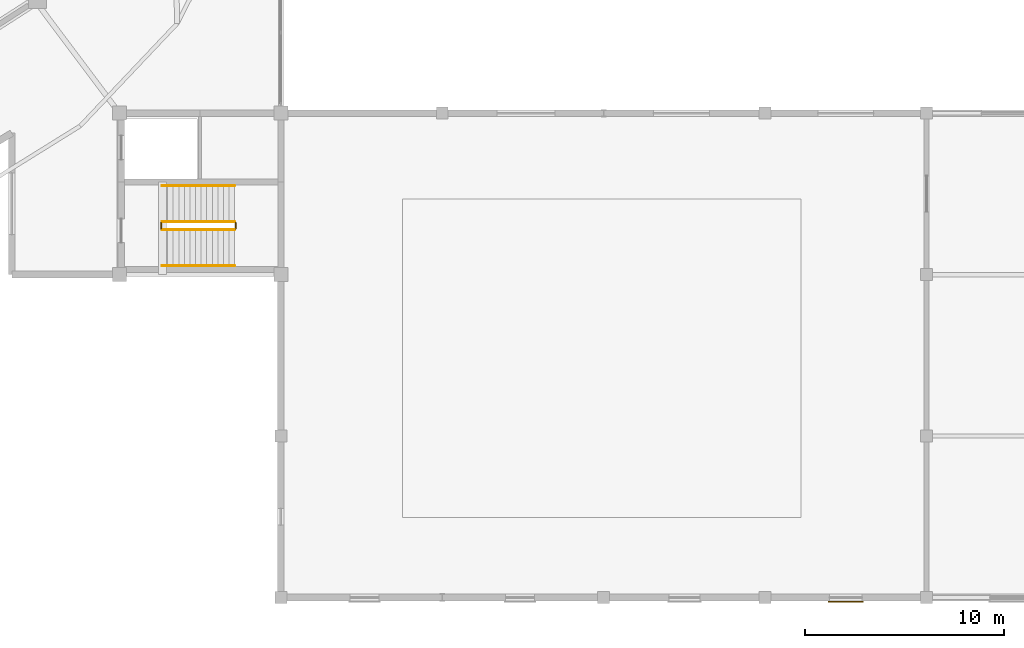
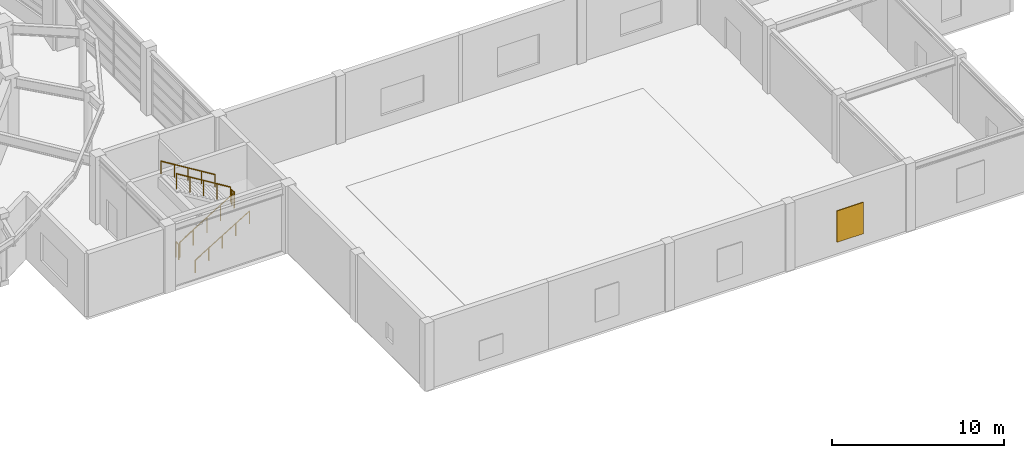
# One storey, part 47 of 56: 6 railings, 1 shading device.
"""IFC4 building model written with IfcOpenShell, lengths in metres."""

from ifc_helpers import new_model, si_unit, direction, frame, origin, origin_2d, place, context, subcontext, project, spatial, rectangle, circle, extrude, material, layer, layer_set, type_object, element, save


model = new_model("IFC4")

# Units and contexts
model_context = context("Model", 3, precision=1e-05, world=origin(), true_north=direction((0.0, 1.0)))
body_context = subcontext(model_context, "Body", "Model", "MODEL_VIEW")
ifc_project = project(units=[si_unit("LENGTHUNIT", "METRE"), si_unit("AREAUNIT", "SQUARE_METRE"), si_unit("VOLUMEUNIT", "CUBIC_METRE"), si_unit("PLANEANGLEUNIT", "RADIAN"), si_unit("MASSUNIT", "GRAM", prefix="KILO")], contexts=[model_context])

# Site, building, storey
site_placement = place(None, origin())
site = spatial("IfcSite", under=ifc_project, at=site_placement, CompositionType="ELEMENT")
building_placement = place(site_placement, origin())
building = spatial("IfcBuilding", under=site, at=building_placement, Name="Parian Resonance Hall", CompositionType="ELEMENT")
storey_placement = place(building_placement, frame((0.0, 0.0, 5.39990234375)))
storey = spatial("IfcBuildingStorey", under=building, at=storey_placement, Name="L01", CompositionType="ELEMENT", Elevation=5.39990234375)

# Railings
ifc_material_1 = material(Name="Patinated bronze whiplash metalwork")
railing_type_1 = type_object("IfcRailingType", Name="RAIL-STAIR-GRD-1100", PredefinedType="GUARDRAIL", material=ifc_material_1)
railing_1_placement = place(storey_placement, frame((66.93994140625, 18.449951171875, 0.171630859375)))
element("IfcRailing", 1, at=railing_1_placement, inside=storey, type_object=railing_type_1, Name="L01 ST-03 stair guard 1", PredefinedType="GUARDRAIL", context=body_context, shape_type="SweptSolid", body=[
    extrude(circle(Radius=0.02392578125, at=origin_2d()), frame((0.0, 0.0, 1.076171875), z_axis=(0.852865859571, 0.0, 0.52213008492), x_axis=(0.0, 1.0, 0.0)), (0.0, 0.0, 1.0), 4.26806640625),
    extrude(circle(Radius=0.02099609375, at=origin_2d()), origin(), (0.0, 0.0, 1.0), 1.052001953125),
    extrude(circle(Radius=0.02099609375, at=origin_2d()), frame((0.91015625, 0.0, 0.55712890625)), (0.0, 0.0, 1.0), 1.052001953125),
    extrude(circle(Radius=0.02099609375, at=origin_2d()), frame((1.820068359375, 0.0, 1.1142578125)), (0.0, 0.0, 1.0), 1.052001953125),
    extrude(circle(Radius=0.02099609375, at=origin_2d()), frame((2.72998046875, 0.0, 1.67138671875)), (0.0, 0.0, 1.0), 1.052001953125),
    extrude(circle(Radius=0.02099609375, at=origin_2d()), frame((3.64013671875, 0.0, 2.228515625)), (0.0, 0.0, 1.0), 1.052001953125),
])
railing_2_placement = place(storey_placement, frame((70.6298828125, 18.5, 2.400146484375)))
element("IfcRailing", 2, at=railing_2_placement, inside=storey, type_object=railing_type_1, Name="L01 ST-03 stair guard 2", PredefinedType="GUARDRAIL", context=body_context, shape_type="SweptSolid", body=[
    extrude(circle(Radius=0.02392578125, at=origin_2d()), frame((0.0, 0.0, 1.076171875), z_axis=(0.0, 1.0, 0.0), x_axis=(-1.0, 0.0, 0.0)), (0.0, 0.0, 1.0), 0.300048828125),
    extrude(circle(Radius=0.02099609375, at=origin_2d()), origin(), (0.0, 0.0, 1.0), 1.052001953125),
    extrude(circle(Radius=0.02099609375, at=origin_2d()), frame((0.0, 0.300048828125, 0.0)), (0.0, 0.0, 1.0), 1.052001953125),
])
railing_3_placement = place(storey_placement, frame((70.580078125, 18.85009765625, 2.571533203125)))
element("IfcRailing", 3, at=railing_3_placement, inside=storey, type_object=railing_type_1, Name="L01 ST-03 stair guard 3", PredefinedType="GUARDRAIL", context=body_context, shape_type="SweptSolid", body=[
    extrude(circle(Radius=0.02392578125, at=origin_2d()), frame((0.0, 0.0, 1.076171875), z_axis=(-0.852865859571, 0.0, 0.52213008492), x_axis=(0.0, -1.0, 0.0)), (0.0, 0.0, 1.0), 4.26806640625),
    extrude(circle(Radius=0.02099609375, at=origin_2d()), origin(), (0.0, 0.0, 1.0), 1.052001953125),
    extrude(circle(Radius=0.02099609375, at=origin_2d()), frame((-0.91015625, 0.0, 0.55712890625)), (0.0, 0.0, 1.0), 1.052001953125),
    extrude(circle(Radius=0.02099609375, at=origin_2d()), frame((-1.820068359375, 0.0, 1.1142578125)), (0.0, 0.0, 1.0), 1.052001953125),
    extrude(circle(Radius=0.02099609375, at=origin_2d()), frame((-2.72998046875, 0.0, 1.67138671875)), (0.0, 0.0, 1.0), 1.052001953125),
    extrude(circle(Radius=0.02099609375, at=origin_2d()), frame((-3.64013671875, 0.0, 2.228515625)), (0.0, 0.0, 1.0), 1.052001953125),
])
railing_4_placement = place(storey_placement, frame((66.889892578125, 18.5, 0.0)))
element("IfcRailing", 4, at=railing_4_placement, inside=storey, type_object=railing_type_1, Name="L01 ST-03 stair guard 4", PredefinedType="GUARDRAIL", context=body_context, shape_type="SweptSolid", body=[
    extrude(circle(Radius=0.02392578125, at=origin_2d()), frame((0.0, 0.0, 1.076171875), z_axis=(0.0, 1.0, 0.0), x_axis=(-1.0, 0.0, 0.0)), (0.0, 0.0, 1.0), 0.300048828125),
    extrude(circle(Radius=0.02099609375, at=origin_2d()), origin(), (0.0, 0.0, 1.0), 1.052001953125),
    extrude(circle(Radius=0.02099609375, at=origin_2d()), frame((0.0, 0.300048828125, 0.0)), (0.0, 0.0, 1.0), 1.052001953125),
])
ifc_material_2 = material(Name="Patinated bronze whiplash metalwork")
railing_type_2 = type_object("IfcRailingType", Name="RAIL-STAIR-HR-900", PredefinedType="HANDRAIL", material=ifc_material_2)
railing_5_placement = place(storey_placement, frame((66.93994140625, 16.64990234375, 0.171630859375)))
element("IfcRailing", 5, at=railing_5_placement, inside=storey, type_object=railing_type_2, Name="L01 ST-03 stair handrail 1", PredefinedType="HANDRAIL", context=body_context, shape_type="SweptSolid", body=[
    extrude(circle(Radius=0.02392578125, at=origin_2d()), frame((0.0, 0.0, 0.8759765625), z_axis=(0.852865859571, 0.0, 0.52213008492), x_axis=(0.0, 1.0, 0.0)), (0.0, 0.0, 1.0), 4.26806640625),
    extrude(circle(Radius=0.02099609375, at=origin_2d()), origin(), (0.0, 0.0, 1.0), 0.851806640625),
    extrude(circle(Radius=0.02099609375, at=origin_2d()), frame((0.91015625, 0.0, 0.55712890625)), (0.0, 0.0, 1.0), 0.851806640625),
    extrude(circle(Radius=0.02099609375, at=origin_2d()), frame((1.820068359375, 0.0, 1.1142578125)), (0.0, 0.0, 1.0), 0.851806640625),
    extrude(circle(Radius=0.02099609375, at=origin_2d()), frame((2.72998046875, 0.0, 1.67138671875)), (0.0, 0.0, 1.0), 0.851806640625),
    extrude(circle(Radius=0.02099609375, at=origin_2d()), frame((3.64013671875, 0.0, 2.228515625)), (0.0, 0.0, 1.0), 0.851806640625),
])
railing_6_placement = place(storey_placement, frame((70.580078125, 20.64990234375, 2.571533203125)))
element("IfcRailing", 6, at=railing_6_placement, inside=storey, type_object=railing_type_2, Name="L01 ST-03 stair handrail 2", PredefinedType="HANDRAIL", context=body_context, shape_type="SweptSolid", body=[
    extrude(circle(Radius=0.02392578125, at=origin_2d()), frame((0.0, 0.0, 0.8759765625), z_axis=(-0.852865859571, 0.0, 0.52213008492), x_axis=(0.0, -1.0, 0.0)), (0.0, 0.0, 1.0), 4.26806640625),
    extrude(circle(Radius=0.02099609375, at=origin_2d()), origin(), (0.0, 0.0, 1.0), 0.851806640625),
    extrude(circle(Radius=0.02099609375, at=origin_2d()), frame((-0.91015625, 0.0, 0.55712890625)), (0.0, 0.0, 1.0), 0.851806640625),
    extrude(circle(Radius=0.02099609375, at=origin_2d()), frame((-1.820068359375, 0.0, 1.1142578125)), (0.0, 0.0, 1.0), 0.851806640625),
    extrude(circle(Radius=0.02099609375, at=origin_2d()), frame((-2.72998046875, 0.0, 1.67138671875)), (0.0, 0.0, 1.0), 0.851806640625),
    extrude(circle(Radius=0.02099609375, at=origin_2d()), frame((-3.64013671875, 0.0, 2.228515625)), (0.0, 0.0, 1.0), 0.851806640625),
])

# Shading device
ifc_material_3 = material(Name="Patinated bronze persiana louver")
ifc_layer = layer(ifc_material_3, 0.06005859375)
ifc_layer_set = layer_set([ifc_layer], Name="Patinated bronze persiana louver")
shading_device_type = type_object("IfcShadingDeviceType", Name="SHD-PERSIANA-SHT", PredefinedType="SHUTTER", material=ifc_layer_set)
shading_device_placement = place(storey_placement, frame((101.25, -0.2080078125, 0.860107421875), z_axis=(0.0, 0.0, 1.0), x_axis=(-1.0, 0.0, 0.0)))
element("IfcShadingDevice", 7, at=shading_device_placement, inside=storey, type_object=shading_device_type, Name="Bronze operable persiana shutter L01-029", PredefinedType="SHUTTER", context=body_context, shape_type="SweptSolid", body=[
    extrude(rectangle(XDim=1.77001953125, YDim=0.06005859375, at=origin_2d()), origin(), (0.0, 0.0, 1.0), 2.22998046875),
])

save(model, "model.ifc")
